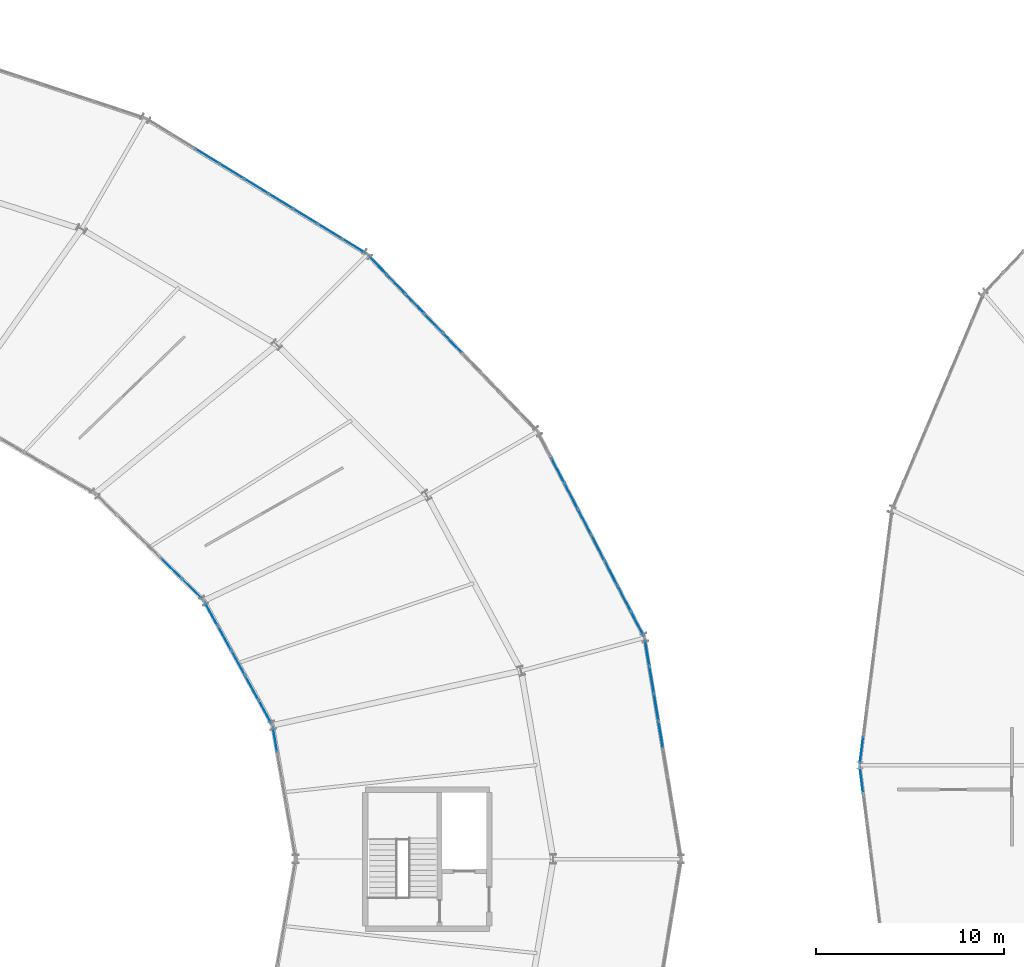
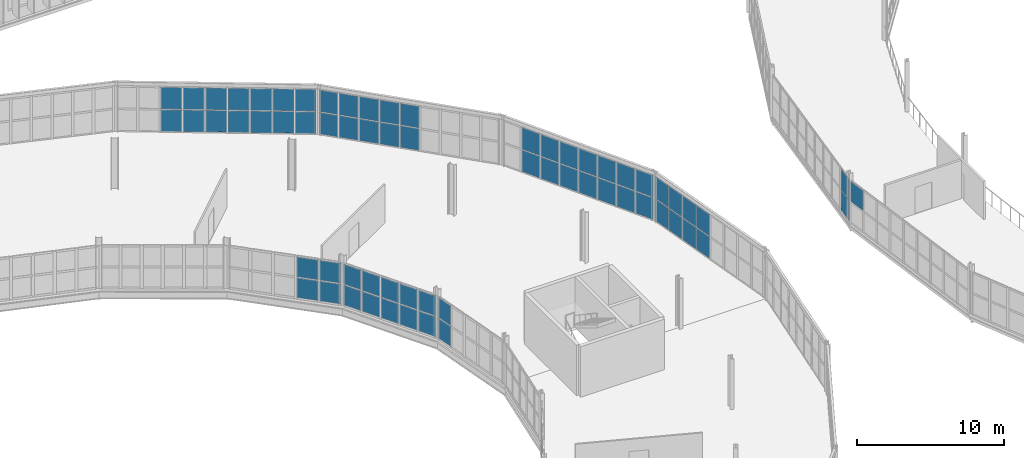
# One storey, part 123 of 161: 65 plates, 9 elements without a shape of their own.
"""IFC4 building model written with IfcOpenShell, lengths in metres."""

from ifc_helpers import new_model, si_unit, direction, frame, origin, origin_2d, place, context, subcontext, project, spatial, rectangle, extrude, material, layer, layer_set, type_object, element, aggregate, save


model = new_model("IFC4")

# Units and contexts
model_context = context("Model", 3, precision=1e-05, world=origin(), true_north=direction((0.0, 1.0)))
body_context = subcontext(model_context, "Body", "Model", "MODEL_VIEW")
ifc_project = project(units=[si_unit("LENGTHUNIT", "METRE"), si_unit("AREAUNIT", "SQUARE_METRE"), si_unit("VOLUMEUNIT", "CUBIC_METRE"), si_unit("PLANEANGLEUNIT", "RADIAN"), si_unit("MASSUNIT", "GRAM", prefix="KILO")], contexts=[model_context])

# Site, building, storey
site_placement = place(None, origin())
site = spatial("IfcSite", under=ifc_project, at=site_placement, CompositionType="ELEMENT")
building_placement = place(site_placement, origin())
building = spatial("IfcBuilding", under=site, at=building_placement, Name="Kildeholm Park Wholesale Market", CompositionType="ELEMENT")
storey_placement = place(building_placement, frame((0.0, 0.0, 5.39990234375)))
storey = spatial("IfcBuildingStorey", under=building, at=storey_placement, Name="L01", CompositionType="ELEMENT", Elevation=5.39990234375)

# Curtain wall, plates
ifc_material_1 = material(Name="Anodised aluminium and low-E double-glazed glass", Category="aluminium")
curtain_wall_type = type_object("IfcCurtainWallType", Name="Market hall glazed arcade stick curtain wall CW-01", PredefinedType="NOTDEFINED", material=ifc_material_1)
curtain_wall_1_placement = place(storey_placement, origin())
curtain_wall_1 = element("IfcCurtainWall", 1, at=curtain_wall_1_placement, inside=storey, type_object=curtain_wall_type, Name="Curtain wall CW-V1-OT-00-1 CW-0001", PredefinedType="NOTDEFINED")
ifc_material_2 = material(Name="Double-glazed low-E insulated glass", Category="glass")
ifc_layer = layer(ifc_material_2, 0.028076171875)
ifc_layer_set = layer_set([ifc_layer], Name="Double-glazed low-E insulated glass")
plate_type = type_object("IfcPlateType", Name="Curtain-wall panel CWP-1 28 mm", PredefinedType="CURTAIN_PANEL", material=ifc_layer_set)
plate_1_placement = place(storey_placement, frame((154.9150390625, 96.1201171875, 0.06494140625), z_axis=(0.0, 0.0, 1.0), x_axis=(-0.162702713317, 0.98667513756, 0.0)))
plate_1 = element("IfcPlate", 2, at=plate_1_placement, type_object=plate_type, Name="CW-01 panel 5.1 PLT-0180", PredefinedType="CURTAIN_PANEL", context=body_context, shape_type="SweptSolid", body=[
    extrude(rectangle(XDim=1.4169921875, YDim=0.028076171875, at=origin_2d()), origin(), (0.0, 0.0, 1.0), 1.802490234375),
])
plate_2_placement = place(storey_placement, frame((154.9150390625, 96.1201171875, 1.9326171875), z_axis=(0.0, 0.0, 1.0), x_axis=(-0.162702713317, 0.98667513756, 0.0)))
plate_2 = element("IfcPlate", 3, at=plate_2_placement, type_object=plate_type, Name="CW-01 panel 5.2 PLT-0181", PredefinedType="CURTAIN_PANEL", context=body_context, shape_type="SweptSolid", body=[
    extrude(rectangle(XDim=1.4169921875, YDim=0.028076171875, at=origin_2d()), origin(), (0.0, 0.0, 1.0), 1.802490234375),
])
plate_3_placement = place(storey_placement, frame((154.673828125, 97.582275390625, 0.06494140625), z_axis=(0.0, 0.0, 1.0), x_axis=(-0.162702713317, 0.98667513756, 0.0)))
plate_3 = element("IfcPlate", 4, at=plate_3_placement, type_object=plate_type, Name="CW-01 panel 6.1 PLT-0182", PredefinedType="CURTAIN_PANEL", context=body_context, shape_type="SweptSolid", body=[
    extrude(rectangle(XDim=1.4169921875, YDim=0.028076171875, at=origin_2d()), origin(), (0.0, 0.0, 1.0), 1.802490234375),
])
plate_4_placement = place(storey_placement, frame((154.673828125, 97.582275390625, 1.9326171875), z_axis=(0.0, 0.0, 1.0), x_axis=(-0.162702713317, 0.98667513756, 0.0)))
plate_4 = element("IfcPlate", 5, at=plate_4_placement, type_object=plate_type, Name="CW-01 panel 6.2 PLT-0183", PredefinedType="CURTAIN_PANEL", context=body_context, shape_type="SweptSolid", body=[
    extrude(rectangle(XDim=1.4169921875, YDim=0.028076171875, at=origin_2d()), origin(), (0.0, 0.0, 1.0), 1.802490234375),
])
plate_5_placement = place(storey_placement, frame((154.4326171875, 99.044677734375, 0.06494140625), z_axis=(0.0, 0.0, 1.0), x_axis=(-0.162702713317, 0.98667513756, 0.0)))
plate_5 = element("IfcPlate", 6, at=plate_5_placement, type_object=plate_type, Name="CW-01 panel 7.1 PLT-0184", PredefinedType="CURTAIN_PANEL", context=body_context, shape_type="SweptSolid", body=[
    extrude(rectangle(XDim=1.4169921875, YDim=0.028076171875, at=origin_2d()), origin(), (0.0, 0.0, 1.0), 1.802490234375),
])
plate_6_placement = place(storey_placement, frame((154.4326171875, 99.044677734375, 1.9326171875), z_axis=(0.0, 0.0, 1.0), x_axis=(-0.162702713317, 0.98667513756, 0.0)))
plate_6 = element("IfcPlate", 7, at=plate_6_placement, type_object=plate_type, Name="CW-01 panel 7.2 PLT-0185", PredefinedType="CURTAIN_PANEL", context=body_context, shape_type="SweptSolid", body=[
    extrude(rectangle(XDim=1.4169921875, YDim=0.028076171875, at=origin_2d()), origin(), (0.0, 0.0, 1.0), 1.802490234375),
])
plate_7_placement = place(storey_placement, frame((154.194091796875, 100.49072265625, 0.06494140625), z_axis=(0.0, 0.0, 1.0), x_axis=(-0.162702713317, 0.98667513756, 0.0)))
plate_7 = element("IfcPlate", 8, at=plate_7_placement, type_object=plate_type, Name="CW-01 panel 8.1 PLT-0186", PredefinedType="CURTAIN_PANEL", context=body_context, shape_type="SweptSolid", body=[
    extrude(rectangle(XDim=1.384521484375, YDim=0.028076171875, at=origin_2d()), origin(), (0.0, 0.0, 1.0), 1.802490234375),
])
plate_8_placement = place(storey_placement, frame((154.194091796875, 100.49072265625, 1.9326171875), z_axis=(0.0, 0.0, 1.0), x_axis=(-0.162702713317, 0.98667513756, 0.0)))
plate_8 = element("IfcPlate", 9, at=plate_8_placement, type_object=plate_type, Name="CW-01 panel 8.2 PLT-0187", PredefinedType="CURTAIN_PANEL", context=body_context, shape_type="SweptSolid", body=[
    extrude(rectangle(XDim=1.384521484375, YDim=0.028076171875, at=origin_2d()), origin(), (0.0, 0.0, 1.0), 1.802490234375),
])
aggregate(curtain_wall_1, [plate_1, plate_2, plate_3, plate_4, plate_5, plate_6, plate_7, plate_8])

curtain_wall_2_placement = place(storey_placement, origin())
curtain_wall_2 = element("IfcCurtainWall", 10, at=curtain_wall_2_placement, inside=storey, type_object=curtain_wall_type, Name="Curtain wall CW-V1-IN1-00 CW-0004", PredefinedType="NOTDEFINED")
plate_9_placement = place(storey_placement, frame((134.396240234375, 95.856689453125, 0.074951171875), z_axis=(0.0, 0.0, 1.0), x_axis=(-0.172132515628, 0.985073802851, 0.0)))
plate_9 = element("IfcPlate", 11, at=plate_9_placement, type_object=plate_type, Name="CW-01 panel 5.1 PLT-0220", PredefinedType="CURTAIN_PANEL", context=body_context, shape_type="SweptSolid", body=[
    extrude(rectangle(XDim=1.316650390625, YDim=0.028076171875, at=origin_2d()), origin(), (0.0, 0.0, 1.0), 1.66259765625),
])
plate_10_placement = place(storey_placement, frame((134.396240234375, 95.856689453125, 1.8125), z_axis=(0.0, 0.0, 1.0), x_axis=(-0.172132515628, 0.985073802851, 0.0)))
plate_10 = element("IfcPlate", 12, at=plate_10_placement, type_object=plate_type, Name="CW-01 panel 5.2 PLT-0221", PredefinedType="CURTAIN_PANEL", context=body_context, shape_type="SweptSolid", body=[
    extrude(rectangle(XDim=1.316650390625, YDim=0.028076171875, at=origin_2d()), origin(), (0.0, 0.0, 1.0), 1.66259765625),
])
aggregate(curtain_wall_2, [plate_9, plate_10])

curtain_wall_3_placement = place(storey_placement, origin())
curtain_wall_3 = element("IfcCurtainWall", 13, at=curtain_wall_3_placement, inside=storey, type_object=curtain_wall_type, Name="Curtain wall CW-V1-OT-01-1 CW-0006", PredefinedType="NOTDEFINED")
plate_11_placement = place(storey_placement, frame((153.683837890625, 102.009033203125, 0.06494140625), z_axis=(0.0, 0.0, 1.0), x_axis=(-0.460514375909, 0.88765224586, 0.0)))
plate_11 = element("IfcPlate", 14, at=plate_11_placement, type_object=plate_type, Name="CW-01 panel 1.1 PLT-0232", PredefinedType="CURTAIN_PANEL", context=body_context, shape_type="SweptSolid", body=[
    extrude(rectangle(XDim=1.43798828125, YDim=0.028076171875, at=origin_2d()), origin(), (0.0, 0.0, 1.0), 1.802490234375),
])
plate_12_placement = place(storey_placement, frame((153.683837890625, 102.009033203125, 1.9326171875), z_axis=(0.0, 0.0, 1.0), x_axis=(-0.460514375909, 0.88765224586, 0.0)))
plate_12 = element("IfcPlate", 15, at=plate_12_placement, type_object=plate_type, Name="CW-01 panel 1.2 PLT-0233", PredefinedType="CURTAIN_PANEL", context=body_context, shape_type="SweptSolid", body=[
    extrude(rectangle(XDim=1.43798828125, YDim=0.028076171875, at=origin_2d()), origin(), (0.0, 0.0, 1.0), 1.802490234375),
])
plate_13_placement = place(storey_placement, frame((152.984375, 103.357421875, 0.06494140625), z_axis=(0.0, 0.0, 1.0), x_axis=(-0.460514375909, 0.88765224586, 0.0)))
plate_13 = element("IfcPlate", 16, at=plate_13_placement, type_object=plate_type, Name="CW-01 panel 2.1 PLT-0234", PredefinedType="CURTAIN_PANEL", context=body_context, shape_type="SweptSolid", body=[
    extrude(rectangle(XDim=1.470458984375, YDim=0.028076171875, at=origin_2d()), origin(), (0.0, 0.0, 1.0), 1.802490234375),
])
plate_14_placement = place(storey_placement, frame((152.984375, 103.357421875, 1.9326171875), z_axis=(0.0, 0.0, 1.0), x_axis=(-0.460514375909, 0.88765224586, 0.0)))
plate_14 = element("IfcPlate", 17, at=plate_14_placement, type_object=plate_type, Name="CW-01 panel 2.2 PLT-0235", PredefinedType="CURTAIN_PANEL", context=body_context, shape_type="SweptSolid", body=[
    extrude(rectangle(XDim=1.470458984375, YDim=0.028076171875, at=origin_2d()), origin(), (0.0, 0.0, 1.0), 1.802490234375),
])
plate_15_placement = place(storey_placement, frame((152.277099609375, 104.720458984375, 0.06494140625), z_axis=(0.0, 0.0, 1.0), x_axis=(-0.460514375909, 0.88765224586, 0.0)))
plate_15 = element("IfcPlate", 18, at=plate_15_placement, type_object=plate_type, Name="CW-01 panel 3.1 PLT-0236", PredefinedType="CURTAIN_PANEL", context=body_context, shape_type="SweptSolid", body=[
    extrude(rectangle(XDim=1.470458984375, YDim=0.028076171875, at=origin_2d()), origin(), (0.0, 0.0, 1.0), 1.802490234375),
])
plate_16_placement = place(storey_placement, frame((152.277099609375, 104.720458984375, 1.9326171875), z_axis=(0.0, 0.0, 1.0), x_axis=(-0.460514375909, 0.88765224586, 0.0)))
plate_16 = element("IfcPlate", 19, at=plate_16_placement, type_object=plate_type, Name="CW-01 panel 3.2 PLT-0237", PredefinedType="CURTAIN_PANEL", context=body_context, shape_type="SweptSolid", body=[
    extrude(rectangle(XDim=1.470458984375, YDim=0.028076171875, at=origin_2d()), origin(), (0.0, 0.0, 1.0), 1.802490234375),
])
plate_17_placement = place(storey_placement, frame((151.570068359375, 106.08349609375, 0.06494140625), z_axis=(0.0, 0.0, 1.0), x_axis=(-0.460514375909, 0.88765224586, 0.0)))
plate_17 = element("IfcPlate", 20, at=plate_17_placement, type_object=plate_type, Name="CW-01 panel 4.1 PLT-0238", PredefinedType="CURTAIN_PANEL", context=body_context, shape_type="SweptSolid", body=[
    extrude(rectangle(XDim=1.470458984375, YDim=0.028076171875, at=origin_2d()), origin(), (0.0, 0.0, 1.0), 1.802490234375),
])
plate_18_placement = place(storey_placement, frame((151.570068359375, 106.08349609375, 1.9326171875), z_axis=(0.0, 0.0, 1.0), x_axis=(-0.460514375909, 0.88765224586, 0.0)))
plate_18 = element("IfcPlate", 21, at=plate_18_placement, type_object=plate_type, Name="CW-01 panel 4.2 PLT-0239", PredefinedType="CURTAIN_PANEL", context=body_context, shape_type="SweptSolid", body=[
    extrude(rectangle(XDim=1.470458984375, YDim=0.028076171875, at=origin_2d()), origin(), (0.0, 0.0, 1.0), 1.802490234375),
])
plate_19_placement = place(storey_placement, frame((150.863037109375, 107.446533203125, 0.06494140625), z_axis=(0.0, 0.0, 1.0), x_axis=(-0.460514375909, 0.88765224586, 0.0)))
plate_19 = element("IfcPlate", 22, at=plate_19_placement, type_object=plate_type, Name="CW-01 panel 5.1 PLT-0240", PredefinedType="CURTAIN_PANEL", context=body_context, shape_type="SweptSolid", body=[
    extrude(rectangle(XDim=1.470458984375, YDim=0.028076171875, at=origin_2d()), origin(), (0.0, 0.0, 1.0), 1.802490234375),
])
plate_20_placement = place(storey_placement, frame((150.863037109375, 107.446533203125, 1.9326171875), z_axis=(0.0, 0.0, 1.0), x_axis=(-0.460514375909, 0.88765224586, 0.0)))
plate_20 = element("IfcPlate", 23, at=plate_20_placement, type_object=plate_type, Name="CW-01 panel 5.2 PLT-0241", PredefinedType="CURTAIN_PANEL", context=body_context, shape_type="SweptSolid", body=[
    extrude(rectangle(XDim=1.470458984375, YDim=0.028076171875, at=origin_2d()), origin(), (0.0, 0.0, 1.0), 1.802490234375),
])
plate_21_placement = place(storey_placement, frame((150.15576171875, 108.8095703125, 0.06494140625), z_axis=(0.0, 0.0, 1.0), x_axis=(-0.460514375909, 0.88765224586, 0.0)))
plate_21 = element("IfcPlate", 24, at=plate_21_placement, type_object=plate_type, Name="CW-01 panel 6.1 PLT-0242", PredefinedType="CURTAIN_PANEL", context=body_context, shape_type="SweptSolid", body=[
    extrude(rectangle(XDim=1.470458984375, YDim=0.028076171875, at=origin_2d()), origin(), (0.0, 0.0, 1.0), 1.802490234375),
])
plate_22_placement = place(storey_placement, frame((150.15576171875, 108.8095703125, 1.9326171875), z_axis=(0.0, 0.0, 1.0), x_axis=(-0.460514375909, 0.88765224586, 0.0)))
plate_22 = element("IfcPlate", 25, at=plate_22_placement, type_object=plate_type, Name="CW-01 panel 6.2 PLT-0243", PredefinedType="CURTAIN_PANEL", context=body_context, shape_type="SweptSolid", body=[
    extrude(rectangle(XDim=1.470458984375, YDim=0.028076171875, at=origin_2d()), origin(), (0.0, 0.0, 1.0), 1.802490234375),
])
plate_23_placement = place(storey_placement, frame((149.44873046875, 110.172607421875, 0.06494140625), z_axis=(0.0, 0.0, 1.0), x_axis=(-0.460514375909, 0.88765224586, 0.0)))
plate_23 = element("IfcPlate", 26, at=plate_23_placement, type_object=plate_type, Name="CW-01 panel 7.1 PLT-0244", PredefinedType="CURTAIN_PANEL", context=body_context, shape_type="SweptSolid", body=[
    extrude(rectangle(XDim=1.470458984375, YDim=0.028076171875, at=origin_2d()), origin(), (0.0, 0.0, 1.0), 1.802490234375),
])
plate_24_placement = place(storey_placement, frame((149.44873046875, 110.172607421875, 1.9326171875), z_axis=(0.0, 0.0, 1.0), x_axis=(-0.460514375909, 0.88765224586, 0.0)))
plate_24 = element("IfcPlate", 27, at=plate_24_placement, type_object=plate_type, Name="CW-01 panel 7.2 PLT-0245", PredefinedType="CURTAIN_PANEL", context=body_context, shape_type="SweptSolid", body=[
    extrude(rectangle(XDim=1.470458984375, YDim=0.028076171875, at=origin_2d()), origin(), (0.0, 0.0, 1.0), 1.802490234375),
])
aggregate(curtain_wall_3, [plate_11, plate_12, plate_13, plate_14, plate_15, plate_16, plate_17, plate_18, plate_19, plate_20, plate_21, plate_22, plate_23, plate_24])

curtain_wall_4_placement = place(storey_placement, origin())
curtain_wall_4 = element("IfcCurtainWall", 28, at=curtain_wall_4_placement, inside=storey, type_object=curtain_wall_type, Name="Curtain wall CW-V1-IN1-01 CW-0009", PredefinedType="NOTDEFINED")
plate_25_placement = place(storey_placement, frame((133.873046875, 97.32666015625, 0.074951171875), z_axis=(0.0, 0.0, 1.0), x_axis=(-0.481749595055, 0.876308922506, 0.0)))
plate_25 = element("IfcPlate", 29, at=plate_25_placement, type_object=plate_type, Name="CW-01 panel 1.1 PLT-0272", PredefinedType="CURTAIN_PANEL", context=body_context, shape_type="SweptSolid", body=[
    extrude(rectangle(XDim=1.38525390625, YDim=0.028076171875, at=origin_2d()), origin(), (0.0, 0.0, 1.0), 1.66259765625),
])
plate_26_placement = place(storey_placement, frame((133.873046875, 97.32666015625, 1.8125), z_axis=(0.0, 0.0, 1.0), x_axis=(-0.481749595055, 0.876308922506, 0.0)))
plate_26 = element("IfcPlate", 30, at=plate_26_placement, type_object=plate_type, Name="CW-01 panel 1.2 PLT-0273", PredefinedType="CURTAIN_PANEL", context=body_context, shape_type="SweptSolid", body=[
    extrude(rectangle(XDim=1.38525390625, YDim=0.028076171875, at=origin_2d()), origin(), (0.0, 0.0, 1.0), 1.66259765625),
])
plate_27_placement = place(storey_placement, frame((133.16064453125, 98.622802734375, 0.074951171875), z_axis=(0.0, 0.0, 1.0), x_axis=(-0.481749595055, 0.876308922506, 0.0)))
plate_27 = element("IfcPlate", 31, at=plate_27_placement, type_object=plate_type, Name="CW-01 panel 2.1 PLT-0274", PredefinedType="CURTAIN_PANEL", context=body_context, shape_type="SweptSolid", body=[
    extrude(rectangle(XDim=1.4228515625, YDim=0.028076171875, at=origin_2d()), origin(), (0.0, 0.0, 1.0), 1.66259765625),
])
plate_28_placement = place(storey_placement, frame((133.16064453125, 98.622802734375, 1.8125), z_axis=(0.0, 0.0, 1.0), x_axis=(-0.481749595055, 0.876308922506, 0.0)))
plate_28 = element("IfcPlate", 32, at=plate_28_placement, type_object=plate_type, Name="CW-01 panel 2.2 PLT-0275", PredefinedType="CURTAIN_PANEL", context=body_context, shape_type="SweptSolid", body=[
    extrude(rectangle(XDim=1.4228515625, YDim=0.028076171875, at=origin_2d()), origin(), (0.0, 0.0, 1.0), 1.66259765625),
])
plate_29_placement = place(storey_placement, frame((132.43896484375, 99.935546875, 0.074951171875), z_axis=(0.0, 0.0, 1.0), x_axis=(-0.481749595055, 0.876308922506, 0.0)))
plate_29 = element("IfcPlate", 33, at=plate_29_placement, type_object=plate_type, Name="CW-01 panel 3.1 PLT-0276", PredefinedType="CURTAIN_PANEL", context=body_context, shape_type="SweptSolid", body=[
    extrude(rectangle(XDim=1.4228515625, YDim=0.028076171875, at=origin_2d()), origin(), (0.0, 0.0, 1.0), 1.66259765625),
])
plate_30_placement = place(storey_placement, frame((132.43896484375, 99.935546875, 1.8125), z_axis=(0.0, 0.0, 1.0), x_axis=(-0.481749595055, 0.876308922506, 0.0)))
plate_30 = element("IfcPlate", 34, at=plate_30_placement, type_object=plate_type, Name="CW-01 panel 3.2 PLT-0277", PredefinedType="CURTAIN_PANEL", context=body_context, shape_type="SweptSolid", body=[
    extrude(rectangle(XDim=1.4228515625, YDim=0.028076171875, at=origin_2d()), origin(), (0.0, 0.0, 1.0), 1.66259765625),
])
plate_31_placement = place(storey_placement, frame((131.71728515625, 101.248046875, 0.074951171875), z_axis=(0.0, 0.0, 1.0), x_axis=(-0.481749595055, 0.876308922506, 0.0)))
plate_31 = element("IfcPlate", 35, at=plate_31_placement, type_object=plate_type, Name="CW-01 panel 4.1 PLT-0278", PredefinedType="CURTAIN_PANEL", context=body_context, shape_type="SweptSolid", body=[
    extrude(rectangle(XDim=1.4228515625, YDim=0.028076171875, at=origin_2d()), origin(), (0.0, 0.0, 1.0), 1.66259765625),
])
plate_32_placement = place(storey_placement, frame((131.71728515625, 101.248046875, 1.8125), z_axis=(0.0, 0.0, 1.0), x_axis=(-0.481749595055, 0.876308922506, 0.0)))
plate_32 = element("IfcPlate", 36, at=plate_32_placement, type_object=plate_type, Name="CW-01 panel 4.2 PLT-0279", PredefinedType="CURTAIN_PANEL", context=body_context, shape_type="SweptSolid", body=[
    extrude(rectangle(XDim=1.4228515625, YDim=0.028076171875, at=origin_2d()), origin(), (0.0, 0.0, 1.0), 1.66259765625),
])
plate_33_placement = place(storey_placement, frame((131.0048828125, 102.544189453125, 0.074951171875), z_axis=(0.0, 0.0, 1.0), x_axis=(-0.481749595055, 0.876308922506, 0.0)))
plate_33 = element("IfcPlate", 37, at=plate_33_placement, type_object=plate_type, Name="CW-01 panel 5.1 PLT-0280", PredefinedType="CURTAIN_PANEL", context=body_context, shape_type="SweptSolid", body=[
    extrude(rectangle(XDim=1.38525390625, YDim=0.028076171875, at=origin_2d()), origin(), (0.0, 0.0, 1.0), 1.66259765625),
])
plate_34_placement = place(storey_placement, frame((131.0048828125, 102.544189453125, 1.8125), z_axis=(0.0, 0.0, 1.0), x_axis=(-0.481749595055, 0.876308922506, 0.0)))
plate_34 = element("IfcPlate", 38, at=plate_34_placement, type_object=plate_type, Name="CW-01 panel 5.2 PLT-0281", PredefinedType="CURTAIN_PANEL", context=body_context, shape_type="SweptSolid", body=[
    extrude(rectangle(XDim=1.38525390625, YDim=0.028076171875, at=origin_2d()), origin(), (0.0, 0.0, 1.0), 1.66259765625),
])
aggregate(curtain_wall_4, [plate_25, plate_26, plate_27, plate_28, plate_29, plate_30, plate_31, plate_32, plate_33, plate_34])

curtain_wall_5_placement = place(storey_placement, origin())
curtain_wall_5 = element("IfcCurtainWall", 39, at=curtain_wall_5_placement, inside=storey, type_object=curtain_wall_type, Name="Curtain wall CW-V1-OT-02-1 CW-0011", PredefinedType="NOTDEFINED")
plate_35_placement = place(storey_placement, frame((143.839111328125, 116.965087890625, 0.06494140625), z_axis=(0.0, 0.0, 1.0), x_axis=(-0.69303795493, 0.720901097951, 0.0)))
plate_35 = element("IfcPlate", 40, at=plate_35_placement, type_object=plate_type, Name="CW-01 panel 5.1 PLT-0300", PredefinedType="CURTAIN_PANEL", context=body_context, shape_type="SweptSolid", body=[
    extrude(rectangle(XDim=1.378662109375, YDim=0.028076171875, at=origin_2d()), origin(), (0.0, 0.0, 1.0), 1.802490234375),
])
plate_36_placement = place(storey_placement, frame((143.839111328125, 116.965087890625, 1.9326171875), z_axis=(0.0, 0.0, 1.0), x_axis=(-0.69303795493, 0.720901097951, 0.0)))
plate_36 = element("IfcPlate", 41, at=plate_36_placement, type_object=plate_type, Name="CW-01 panel 5.2 PLT-0301", PredefinedType="CURTAIN_PANEL", context=body_context, shape_type="SweptSolid", body=[
    extrude(rectangle(XDim=1.378662109375, YDim=0.028076171875, at=origin_2d()), origin(), (0.0, 0.0, 1.0), 1.802490234375),
])
plate_37_placement = place(storey_placement, frame((142.838623046875, 118.005615234375, 0.06494140625), z_axis=(0.0, 0.0, 1.0), x_axis=(-0.69303795493, 0.720901097951, 0.0)))
plate_37 = element("IfcPlate", 42, at=plate_37_placement, type_object=plate_type, Name="CW-01 panel 6.1 PLT-0302", PredefinedType="CURTAIN_PANEL", context=body_context, shape_type="SweptSolid", body=[
    extrude(rectangle(XDim=1.378662109375, YDim=0.028076171875, at=origin_2d()), origin(), (0.0, 0.0, 1.0), 1.802490234375),
])
plate_38_placement = place(storey_placement, frame((142.838623046875, 118.005615234375, 1.9326171875), z_axis=(0.0, 0.0, 1.0), x_axis=(-0.69303795493, 0.720901097951, 0.0)))
plate_38 = element("IfcPlate", 43, at=plate_38_placement, type_object=plate_type, Name="CW-01 panel 6.2 PLT-0303", PredefinedType="CURTAIN_PANEL", context=body_context, shape_type="SweptSolid", body=[
    extrude(rectangle(XDim=1.378662109375, YDim=0.028076171875, at=origin_2d()), origin(), (0.0, 0.0, 1.0), 1.802490234375),
])
plate_39_placement = place(storey_placement, frame((141.838134765625, 119.04638671875, 0.06494140625), z_axis=(0.0, 0.0, 1.0), x_axis=(-0.69303795493, 0.720901097951, 0.0)))
plate_39 = element("IfcPlate", 44, at=plate_39_placement, type_object=plate_type, Name="CW-01 panel 7.1 PLT-0304", PredefinedType="CURTAIN_PANEL", context=body_context, shape_type="SweptSolid", body=[
    extrude(rectangle(XDim=1.378662109375, YDim=0.028076171875, at=origin_2d()), origin(), (0.0, 0.0, 1.0), 1.802490234375),
])
plate_40_placement = place(storey_placement, frame((141.838134765625, 119.04638671875, 1.9326171875), z_axis=(0.0, 0.0, 1.0), x_axis=(-0.69303795493, 0.720901097951, 0.0)))
plate_40 = element("IfcPlate", 45, at=plate_40_placement, type_object=plate_type, Name="CW-01 panel 7.2 PLT-0305", PredefinedType="CURTAIN_PANEL", context=body_context, shape_type="SweptSolid", body=[
    extrude(rectangle(XDim=1.378662109375, YDim=0.028076171875, at=origin_2d()), origin(), (0.0, 0.0, 1.0), 1.802490234375),
])
plate_41_placement = place(storey_placement, frame((140.837646484375, 120.0869140625, 0.06494140625), z_axis=(0.0, 0.0, 1.0), x_axis=(-0.69303795493, 0.720901097951, 0.0)))
plate_41 = element("IfcPlate", 46, at=plate_41_placement, type_object=plate_type, Name="CW-01 panel 8.1 PLT-0306", PredefinedType="CURTAIN_PANEL", context=body_context, shape_type="SweptSolid", body=[
    extrude(rectangle(XDim=1.378662109375, YDim=0.028076171875, at=origin_2d()), origin(), (0.0, 0.0, 1.0), 1.802490234375),
])
plate_42_placement = place(storey_placement, frame((140.837646484375, 120.0869140625, 1.9326171875), z_axis=(0.0, 0.0, 1.0), x_axis=(-0.69303795493, 0.720901097951, 0.0)))
plate_42 = element("IfcPlate", 47, at=plate_42_placement, type_object=plate_type, Name="CW-01 panel 8.2 PLT-0307", PredefinedType="CURTAIN_PANEL", context=body_context, shape_type="SweptSolid", body=[
    extrude(rectangle(XDim=1.378662109375, YDim=0.028076171875, at=origin_2d()), origin(), (0.0, 0.0, 1.0), 1.802490234375),
])
plate_43_placement = place(storey_placement, frame((139.848388671875, 121.115966796875, 0.06494140625), z_axis=(0.0, 0.0, 1.0), x_axis=(-0.69303795493, 0.720901097951, 0.0)))
plate_43 = element("IfcPlate", 48, at=plate_43_placement, type_object=plate_type, Name="CW-01 panel 9.1 PLT-0308", PredefinedType="CURTAIN_PANEL", context=body_context, shape_type="SweptSolid", body=[
    extrude(rectangle(XDim=1.345947265625, YDim=0.028076171875, at=origin_2d()), origin(), (0.0, 0.0, 1.0), 1.802490234375),
])
plate_44_placement = place(storey_placement, frame((139.848388671875, 121.115966796875, 1.9326171875), z_axis=(0.0, 0.0, 1.0), x_axis=(-0.69303795493, 0.720901097951, 0.0)))
plate_44 = element("IfcPlate", 49, at=plate_44_placement, type_object=plate_type, Name="CW-01 panel 9.2 PLT-0309", PredefinedType="CURTAIN_PANEL", context=body_context, shape_type="SweptSolid", body=[
    extrude(rectangle(XDim=1.345947265625, YDim=0.028076171875, at=origin_2d()), origin(), (0.0, 0.0, 1.0), 1.802490234375),
])
aggregate(curtain_wall_5, [plate_35, plate_36, plate_37, plate_38, plate_39, plate_40, plate_41, plate_42, plate_43, plate_44])

curtain_wall_6_placement = place(storey_placement, origin())
curtain_wall_6 = element("IfcCurtainWall", 50, at=curtain_wall_6_placement, inside=storey, type_object=curtain_wall_type, Name="Curtain wall CW-V1-IN1-02 CW-0014", PredefinedType="NOTDEFINED")
plate_45_placement = place(storey_placement, frame((129.998291015625, 103.858154296875, 0.074951171875), z_axis=(0.0, 0.0, 1.0), x_axis=(-0.713537995789, 0.700616534607, 0.0)))
plate_45 = element("IfcPlate", 51, at=plate_45_placement, type_object=plate_type, Name="CW-01 panel 1.1 PLT-0334", PredefinedType="CURTAIN_PANEL", context=body_context, shape_type="SweptSolid", body=[
    extrude(rectangle(XDim=1.497314453125, YDim=0.028076171875, at=origin_2d()), origin(), (0.0, 0.0, 1.0), 1.66259765625),
])
plate_46_placement = place(storey_placement, frame((129.998291015625, 103.858154296875, 1.8125), z_axis=(0.0, 0.0, 1.0), x_axis=(-0.713537995789, 0.700616534607, 0.0)))
plate_46 = element("IfcPlate", 52, at=plate_46_placement, type_object=plate_type, Name="CW-01 panel 1.2 PLT-0335", PredefinedType="CURTAIN_PANEL", context=body_context, shape_type="SweptSolid", body=[
    extrude(rectangle(XDim=1.497314453125, YDim=0.028076171875, at=origin_2d()), origin(), (0.0, 0.0, 1.0), 1.66259765625),
])
plate_47_placement = place(storey_placement, frame((128.863037109375, 104.97265625, 0.074951171875), z_axis=(0.0, 0.0, 1.0), x_axis=(-0.713537995789, 0.700616534607, 0.0)))
plate_47 = element("IfcPlate", 53, at=plate_47_placement, type_object=plate_type, Name="CW-01 panel 2.1 PLT-0336", PredefinedType="CURTAIN_PANEL", context=body_context, shape_type="SweptSolid", body=[
    extrude(rectangle(XDim=1.53466796875, YDim=0.028076171875, at=origin_2d()), origin(), (0.0, 0.0, 1.0), 1.66259765625),
])
plate_48_placement = place(storey_placement, frame((128.863037109375, 104.97265625, 1.8125), z_axis=(0.0, 0.0, 1.0), x_axis=(-0.713537995789, 0.700616534607, 0.0)))
plate_48 = element("IfcPlate", 54, at=plate_48_placement, type_object=plate_type, Name="CW-01 panel 2.2 PLT-0337", PredefinedType="CURTAIN_PANEL", context=body_context, shape_type="SweptSolid", body=[
    extrude(rectangle(XDim=1.53466796875, YDim=0.028076171875, at=origin_2d()), origin(), (0.0, 0.0, 1.0), 1.66259765625),
])
aggregate(curtain_wall_6, [plate_45, plate_46, plate_47, plate_48])

curtain_wall_7_placement = place(storey_placement, origin())
curtain_wall_7 = element("IfcCurtainWall", 55, at=curtain_wall_7_placement, inside=storey, type_object=curtain_wall_type, Name="Curtain wall CW-V1-OT-03-1 CW-0016", PredefinedType="NOTDEFINED")
plate_49_placement = place(storey_placement, frame((138.609130859375, 122.10595703125, 0.06494140625), z_axis=(0.0, 0.0, 1.0), x_axis=(-0.852771402766, 0.522284342695, 0.0)))
plate_49 = element("IfcPlate", 56, at=plate_49_placement, type_object=plate_type, Name="CW-01 panel 1.1 PLT-0354", PredefinedType="CURTAIN_PANEL", context=body_context, shape_type="SweptSolid", body=[
    extrude(rectangle(XDim=1.431884765625, YDim=0.028076171875, at=origin_2d()), origin(), (0.0, 0.0, 1.0), 1.802490234375),
])
plate_50_placement = place(storey_placement, frame((138.609130859375, 122.10595703125, 1.9326171875), z_axis=(0.0, 0.0, 1.0), x_axis=(-0.852771402766, 0.522284342695, 0.0)))
plate_50 = element("IfcPlate", 57, at=plate_50_placement, type_object=plate_type, Name="CW-01 panel 1.2 PLT-0355", PredefinedType="CURTAIN_PANEL", context=body_context, shape_type="SweptSolid", body=[
    extrude(rectangle(XDim=1.431884765625, YDim=0.028076171875, at=origin_2d()), origin(), (0.0, 0.0, 1.0), 1.802490234375),
])
plate_51_placement = place(storey_placement, frame((137.318603515625, 122.896240234375, 0.06494140625), z_axis=(0.0, 0.0, 1.0), x_axis=(-0.852771402766, 0.522284342695, 0.0)))
plate_51 = element("IfcPlate", 58, at=plate_51_placement, type_object=plate_type, Name="CW-01 panel 2.1 PLT-0356", PredefinedType="CURTAIN_PANEL", context=body_context, shape_type="SweptSolid", body=[
    extrude(rectangle(XDim=1.46435546875, YDim=0.028076171875, at=origin_2d()), origin(), (0.0, 0.0, 1.0), 1.802490234375),
])
plate_52_placement = place(storey_placement, frame((137.318603515625, 122.896240234375, 1.9326171875), z_axis=(0.0, 0.0, 1.0), x_axis=(-0.852771402766, 0.522284342695, 0.0)))
plate_52 = element("IfcPlate", 59, at=plate_52_placement, type_object=plate_type, Name="CW-01 panel 2.2 PLT-0357", PredefinedType="CURTAIN_PANEL", context=body_context, shape_type="SweptSolid", body=[
    extrude(rectangle(XDim=1.46435546875, YDim=0.028076171875, at=origin_2d()), origin(), (0.0, 0.0, 1.0), 1.802490234375),
])
plate_53_placement = place(storey_placement, frame((136.014404296875, 123.69482421875, 0.06494140625), z_axis=(0.0, 0.0, 1.0), x_axis=(-0.852771402766, 0.522284342695, 0.0)))
plate_53 = element("IfcPlate", 60, at=plate_53_placement, type_object=plate_type, Name="CW-01 panel 3.1 PLT-0358", PredefinedType="CURTAIN_PANEL", context=body_context, shape_type="SweptSolid", body=[
    extrude(rectangle(XDim=1.46435546875, YDim=0.028076171875, at=origin_2d()), origin(), (0.0, 0.0, 1.0), 1.802490234375),
])
plate_54_placement = place(storey_placement, frame((136.014404296875, 123.69482421875, 1.9326171875), z_axis=(0.0, 0.0, 1.0), x_axis=(-0.852771402766, 0.522284342695, 0.0)))
plate_54 = element("IfcPlate", 61, at=plate_54_placement, type_object=plate_type, Name="CW-01 panel 3.2 PLT-0359", PredefinedType="CURTAIN_PANEL", context=body_context, shape_type="SweptSolid", body=[
    extrude(rectangle(XDim=1.46435546875, YDim=0.028076171875, at=origin_2d()), origin(), (0.0, 0.0, 1.0), 1.802490234375),
])
plate_55_placement = place(storey_placement, frame((134.710205078125, 124.49365234375, 0.06494140625), z_axis=(0.0, 0.0, 1.0), x_axis=(-0.852771402766, 0.522284342695, 0.0)))
plate_55 = element("IfcPlate", 62, at=plate_55_placement, type_object=plate_type, Name="CW-01 panel 4.1 PLT-0360", PredefinedType="CURTAIN_PANEL", context=body_context, shape_type="SweptSolid", body=[
    extrude(rectangle(XDim=1.46435546875, YDim=0.028076171875, at=origin_2d()), origin(), (0.0, 0.0, 1.0), 1.802490234375),
])
plate_56_placement = place(storey_placement, frame((134.710205078125, 124.49365234375, 1.9326171875), z_axis=(0.0, 0.0, 1.0), x_axis=(-0.852771402766, 0.522284342695, 0.0)))
plate_56 = element("IfcPlate", 63, at=plate_56_placement, type_object=plate_type, Name="CW-01 panel 4.2 PLT-0361", PredefinedType="CURTAIN_PANEL", context=body_context, shape_type="SweptSolid", body=[
    extrude(rectangle(XDim=1.46435546875, YDim=0.028076171875, at=origin_2d()), origin(), (0.0, 0.0, 1.0), 1.802490234375),
])
plate_57_placement = place(storey_placement, frame((133.406005859375, 125.29248046875, 0.06494140625), z_axis=(0.0, 0.0, 1.0), x_axis=(-0.852771402766, 0.522284342695, 0.0)))
plate_57 = element("IfcPlate", 64, at=plate_57_placement, type_object=plate_type, Name="CW-01 panel 5.1 PLT-0362", PredefinedType="CURTAIN_PANEL", context=body_context, shape_type="SweptSolid", body=[
    extrude(rectangle(XDim=1.46435546875, YDim=0.028076171875, at=origin_2d()), origin(), (0.0, 0.0, 1.0), 1.802490234375),
])
plate_58_placement = place(storey_placement, frame((133.406005859375, 125.29248046875, 1.9326171875), z_axis=(0.0, 0.0, 1.0), x_axis=(-0.852771402766, 0.522284342695, 0.0)))
plate_58 = element("IfcPlate", 65, at=plate_58_placement, type_object=plate_type, Name="CW-01 panel 5.2 PLT-0363", PredefinedType="CURTAIN_PANEL", context=body_context, shape_type="SweptSolid", body=[
    extrude(rectangle(XDim=1.46435546875, YDim=0.028076171875, at=origin_2d()), origin(), (0.0, 0.0, 1.0), 1.802490234375),
])
plate_59_placement = place(storey_placement, frame((132.101806640625, 126.09130859375, 0.06494140625), z_axis=(0.0, 0.0, 1.0), x_axis=(-0.852771402766, 0.522284342695, 0.0)))
plate_59 = element("IfcPlate", 66, at=plate_59_placement, type_object=plate_type, Name="CW-01 panel 6.1 PLT-0364", PredefinedType="CURTAIN_PANEL", context=body_context, shape_type="SweptSolid", body=[
    extrude(rectangle(XDim=1.46435546875, YDim=0.028076171875, at=origin_2d()), origin(), (0.0, 0.0, 1.0), 1.802490234375),
])
plate_60_placement = place(storey_placement, frame((132.101806640625, 126.09130859375, 1.9326171875), z_axis=(0.0, 0.0, 1.0), x_axis=(-0.852771402766, 0.522284342695, 0.0)))
plate_60 = element("IfcPlate", 67, at=plate_60_placement, type_object=plate_type, Name="CW-01 panel 6.2 PLT-0365", PredefinedType="CURTAIN_PANEL", context=body_context, shape_type="SweptSolid", body=[
    extrude(rectangle(XDim=1.46435546875, YDim=0.028076171875, at=origin_2d()), origin(), (0.0, 0.0, 1.0), 1.802490234375),
])
plate_61_placement = place(storey_placement, frame((130.797607421875, 126.89013671875, 0.06494140625), z_axis=(0.0, 0.0, 1.0), x_axis=(-0.852771402766, 0.522284342695, 0.0)))
plate_61 = element("IfcPlate", 68, at=plate_61_placement, type_object=plate_type, Name="CW-01 panel 7.1 PLT-0366", PredefinedType="CURTAIN_PANEL", context=body_context, shape_type="SweptSolid", body=[
    extrude(rectangle(XDim=1.46435546875, YDim=0.028076171875, at=origin_2d()), origin(), (0.0, 0.0, 1.0), 1.802490234375),
])
plate_62_placement = place(storey_placement, frame((130.797607421875, 126.89013671875, 1.9326171875), z_axis=(0.0, 0.0, 1.0), x_axis=(-0.852771402766, 0.522284342695, 0.0)))
plate_62 = element("IfcPlate", 69, at=plate_62_placement, type_object=plate_type, Name="CW-01 panel 7.2 PLT-0367", PredefinedType="CURTAIN_PANEL", context=body_context, shape_type="SweptSolid", body=[
    extrude(rectangle(XDim=1.46435546875, YDim=0.028076171875, at=origin_2d()), origin(), (0.0, 0.0, 1.0), 1.802490234375),
])
aggregate(curtain_wall_7, [plate_49, plate_50, plate_51, plate_52, plate_53, plate_54, plate_55, plate_56, plate_57, plate_58, plate_59, plate_60, plate_61, plate_62])

curtain_wall_8_placement = place(storey_placement, origin())
curtain_wall_8 = element("IfcCurtainWall", 70, at=curtain_wall_8_placement, inside=storey, type_object=curtain_wall_type, Name="Curtain wall CW-V2-L01-07 CW-0126", PredefinedType="NOTDEFINED")
plate_63_placement = place(storey_placement, frame((165.5966796875, 95.3076171875, 0.06494140625), z_axis=(0.0, 0.0, 1.0), x_axis=(-0.12509240377, -0.992145095497, 0.0)))
plate_63 = element("IfcPlate", 71, at=plate_63_placement, type_object=plate_type, Name="CW-01 panel 9.1 PLT-1858", PredefinedType="CURTAIN_PANEL", context=body_context, shape_type="SweptSolid", body=[
    extrude(rectangle(XDim=1.4150390625, YDim=0.028076171875, at=origin_2d()), origin(), (0.0, 0.0, 1.0), 1.677490234375),
])
plate_64_placement = place(storey_placement, frame((165.5966796875, 95.3076171875, 1.8076171875), z_axis=(0.0, 0.0, 1.0), x_axis=(-0.12509240377, -0.992145095497, 0.0)))
plate_64 = element("IfcPlate", 72, at=plate_64_placement, type_object=plate_type, Name="CW-01 panel 9.2 PLT-1859", PredefinedType="CURTAIN_PANEL", context=body_context, shape_type="SweptSolid", body=[
    extrude(rectangle(XDim=1.4150390625, YDim=0.028076171875, at=origin_2d()), origin(), (0.0, 0.0, 1.0), 1.677490234375),
])
aggregate(curtain_wall_8, [plate_63, plate_64])

# Curtain wall, plate
curtain_wall_9_placement = place(storey_placement, origin())
curtain_wall_9 = element("IfcCurtainWall", 73, at=curtain_wall_9_placement, inside=storey, type_object=curtain_wall_type, Name="Curtain wall CW-V2-L01-08 CW-0127", PredefinedType="NOTDEFINED")
plate_65_placement = place(storey_placement, frame((165.5966796875, 93.6923828125, 1.8076171875), z_axis=(0.0, 0.0, 1.0), x_axis=(0.12509240377, -0.992145095497, 0.0)))
plate_65 = element("IfcPlate", 74, at=plate_65_placement, type_object=plate_type, Name="CW-01 panel 1.2 PLT-1861", PredefinedType="CURTAIN_PANEL", context=body_context, shape_type="SweptSolid", body=[
    extrude(rectangle(XDim=1.4150390625, YDim=0.028076171875, at=origin_2d()), origin(), (0.0, 0.0, 1.0), 1.677490234375),
])
aggregate(curtain_wall_9, [plate_65])

save(model, "model.ifc")
